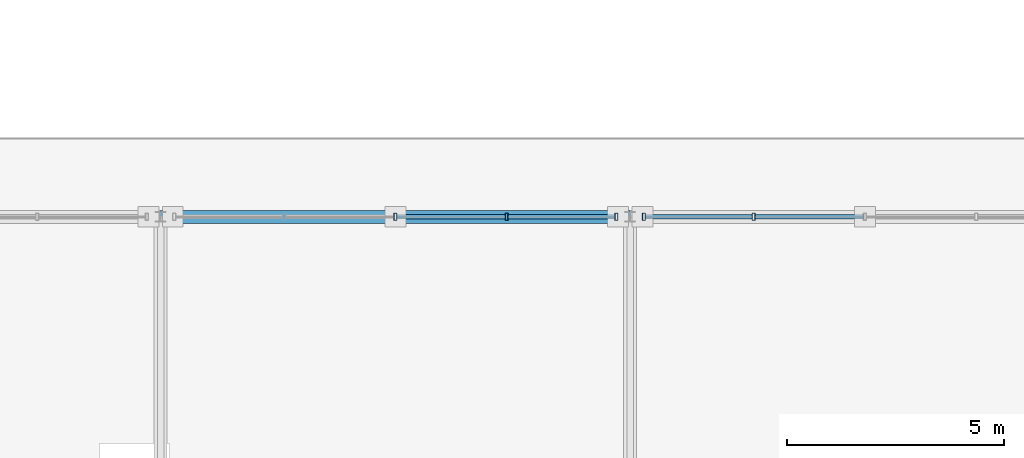
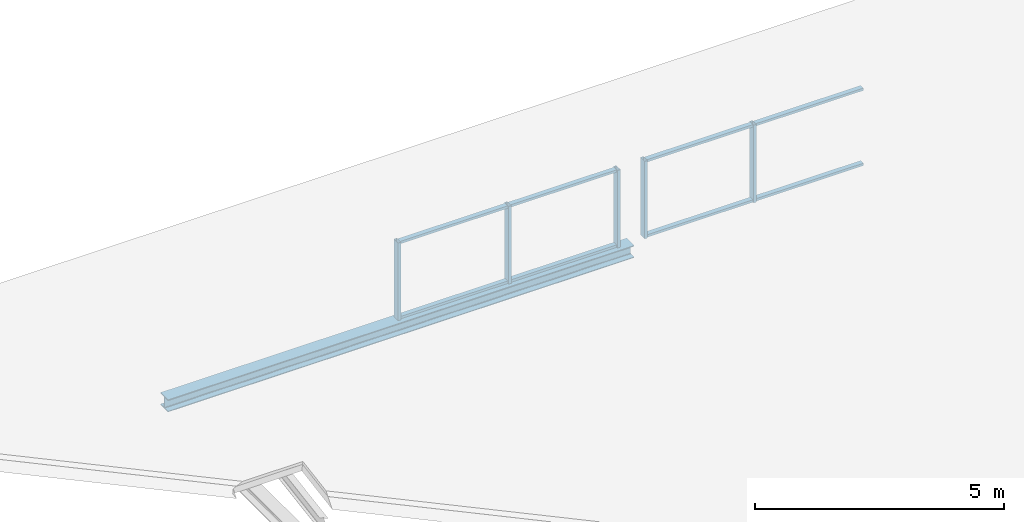
# One storey, part 90 of 117: 13 members, 1 beam, 2 elements without a shape of their own.
"""IFC4 building model written with IfcOpenShell, lengths in metres."""

import ifcopenshell
import ifcopenshell.guid

model = None  # the IFC model being written
_history = None  # IfcOwnerHistory: only IFC2X3 demands one
_inside = {}  # id of a spatial element -> (the spatial element, [elements in it])
_under = {}  # id of a project, library or spatial element -> (it, [spatial elements below it])
_declared = {}  # id of a project -> (the project, [libraries it declares])
_typed = {}  # id of a type object -> (the type object, [elements of that type])
_made_of = {}  # id of a material, layer set ... -> (it, [elements and type objects made of it])


def new_model(schema):
    """Start an empty IFC model of exactly this schema.

    Asked for "IFC4X3", IfcOpenShell would pick the latest addendum, in which some entities
    have other attributes; the version numbers below select the first issue.
    IFC2X3 requires an IfcOwnerHistory on every rooted entity: one is made here for all.
    """
    global model, _history
    if schema == "IFC4X3":
        model = ifcopenshell.file(schema_version=(4, 3, 0, 0))
    else:
        model = ifcopenshell.file(schema=schema)
    _inside.clear()
    _under.clear()
    _declared.clear()
    _typed.clear()
    _made_of.clear()
    _history = None
    if model.schema == "IFC2X3":
        org = make("IfcOrganization", Name="unknown")
        user = make(
            "IfcPersonAndOrganization",
            ThePerson=make("IfcPerson", FamilyName="unknown"),
            TheOrganization=org,
        )
        app = make(
            "IfcApplication",
            ApplicationDeveloper=org,
            Version="unknown",
            ApplicationFullName="unknown",
            ApplicationIdentifier="unknown",
        )
        _history = make(
            "IfcOwnerHistory",
            OwningUser=user,
            OwningApplication=app,
            ChangeAction="ADDED",
            CreationDate=0,
        )
    return model


def make(cls, **values):
    """One entity of the class cls with the attributes given. An attribute that is None is left unset."""
    return model.create_entity(
        cls, **{name: value for name, value in values.items() if value is not None}
    )


def rooted(cls, **values):
    """An entity with a GlobalId (a new one), such as an element, a storey or a relation."""
    return make(cls, GlobalId=ifcopenshell.guid.new(), OwnerHistory=_history, **values)


def si_unit(unit_type, name, prefix=None):
    """IfcSIUnit, for example si_unit("LENGTHUNIT", "METRE", prefix="MILLI")."""
    return make("IfcSIUnit", UnitType=unit_type, Prefix=prefix, Name=name)


def assignment(units):
    """IfcUnitAssignment: the units of a project."""
    return None if units is None else make("IfcUnitAssignment", Units=units)


def point(xyz):
    """IfcCartesianPoint."""
    return None if xyz is None else make("IfcCartesianPoint", Coordinates=xyz)


def direction(xyz):
    """IfcDirection."""
    return None if xyz is None else make("IfcDirection", DirectionRatios=xyz)


def frame(location, z_axis=None, x_axis=None):
    """IfcAxis2Placement3D, a coordinate frame: its origin and axes. An axis left out is left unset."""
    return make(
        "IfcAxis2Placement3D",
        Location=point(location),
        Axis=direction(z_axis),
        RefDirection=direction(x_axis),
    )


def frame_2d(location, x_axis=None):
    """IfcAxis2Placement2D, a coordinate frame in the plane: its origin and x axis."""
    return make(
        "IfcAxis2Placement2D", Location=point(location), RefDirection=direction(x_axis)
    )


def origin():
    """The frame at (0, 0, 0) with its axes left unset."""
    return frame((0.0, 0.0, 0.0))


def origin_2d():
    """The frame at (0, 0) in the plane with its x axis left unset."""
    return frame_2d((0.0, 0.0))


def place(relative_to, where):
    """IfcLocalPlacement: puts the frame where relative to a parent placement (None: the world)."""
    return make(
        "IfcLocalPlacement", PlacementRelTo=relative_to, RelativePlacement=where
    )


def context(
    kind, dimensions, precision=None, world=None, true_north=None, identifier=None
):
    """IfcGeometricRepresentationContext, for example the 3D "Model" context."""
    return make(
        "IfcGeometricRepresentationContext",
        ContextIdentifier=identifier,
        ContextType=kind,
        CoordinateSpaceDimension=dimensions,
        Precision=precision,
        WorldCoordinateSystem=world,
        TrueNorth=true_north,
    )


def subcontext(parent, identifier, kind, view, scale=None):
    """IfcGeometricRepresentationSubContext, for example "Body" below "Model"."""
    return make(
        "IfcGeometricRepresentationSubContext",
        ContextIdentifier=identifier,
        ContextType=kind,
        ParentContext=parent,
        TargetScale=scale,
        TargetView=view,
    )


def project(units=None, contexts=None):
    """IfcProject with its units and contexts."""
    return rooted(
        "IfcProject",
        Name="project",
        RepresentationContexts=contexts,
        UnitsInContext=assignment(units),
    )


def spatial(cls, under=None, at=None, **own):
    """A site, building, storey or space (cls), placed at a placement, below another one or the project."""
    s = rooted(cls, ObjectPlacement=at, **own)
    if under is not None:
        _under.setdefault(under.id(), (under, []))[1].append(s)
    return s


def profile(cls, at=None, kind="AREA", **sizes):
    """A parametric profile (cls). Its sizes go by their IFC names, for example OverallWidth=200.0."""
    return make(cls, ProfileType=kind, Position=at, **sizes)


def hollow_rectangle(**sizes):
    """IfcRectangleHollowProfileDef."""
    return profile("IfcRectangleHollowProfileDef", **sizes)


def i_section(**sizes):
    """IfcIShapeProfileDef."""
    return profile("IfcIShapeProfileDef", **sizes)


def extrude(swept, where, along, depth):
    """IfcExtrudedAreaSolid: the profile swept, set in the frame where, extruded along a direction by depth."""
    return make(
        "IfcExtrudedAreaSolid",
        SweptArea=swept,
        Position=where,
        ExtrudedDirection=direction(along),
        Depth=depth,
    )


def shape(context_of_items, identifier, shape_type, items):
    """IfcShapeRepresentation: the items that make up one representation, for example the "Body"."""
    return make(
        "IfcShapeRepresentation",
        ContextOfItems=context_of_items,
        RepresentationIdentifier=identifier,
        RepresentationType=shape_type,
        Items=items,
    )


def material(Name=None, Category=None):
    """IfcMaterial."""
    return make("IfcMaterial", Name=Name, Category=Category)


def material_profile(
    of_material, cross_section, Name=None, Category=None, Priority=None
):
    """IfcMaterialProfile: a cross section and its material."""
    return make(
        "IfcMaterialProfile",
        Name=Name,
        Material=of_material,
        Profile=cross_section,
        Priority=Priority,
        Category=Category,
    )


def profile_set(profiles, Name=None, composite=None):
    """IfcMaterialProfileSet."""
    return make(
        "IfcMaterialProfileSet",
        Name=Name,
        MaterialProfiles=profiles,
        CompositeProfile=composite,
    )


def made_of(thing, what):
    """Note that an element or type object is made of a material, layer set ...; save() writes the relation."""
    if what is not None:
        _made_of.setdefault(what.id(), (what, []))[1].append(thing)
    return thing


def type_object(cls, material=None, **own):
    """A type object (cls), such as IfcWallType, which elements share."""
    return made_of(rooted(cls, **own), material)


def element(
    cls,
    number,
    at=None,
    inside=None,
    cuts=None,
    type_object=None,
    material=None,
    context=None,
    identifier="Body",
    shape_type=None,
    held_by="IfcProductDefinitionShape",
    body=None,
    shapes=None,
    **own,
):
    """One element of the class cls, such as IfcWall. Its Tag is "e" and its number.

    at: its placement. inside: the storey or other place that contains it. cuts: it is an
    opening in that element (IfcRelVoidsElement). A single representation is given by context,
    identifier, shape_type and body (its items); several are given by shapes. held_by: the class
    of the entity that holds the representations. save() writes the other relations.
    """
    e = rooted(cls, Tag="e%d" % number, ObjectPlacement=at, **own)
    if body is not None:
        shapes = [shape(context, identifier, shape_type, body)]
    if shapes is not None:
        e.Representation = make(held_by, Representations=shapes)
    if inside is not None:
        _inside.setdefault(inside.id(), (inside, []))[1].append(e)
    if cuts is not None:
        rooted(
            "IfcRelVoidsElement", RelatingBuildingElement=cuts, RelatedOpeningElement=e
        )
    if type_object is not None:
        _typed.setdefault(type_object.id(), (type_object, []))[1].append(e)
    return made_of(e, material)


def aggregate(whole, parts):
    """IfcRelAggregates: a whole, such as a stair, and the parts it consists of."""
    return rooted("IfcRelAggregates", RelatingObject=whole, RelatedObjects=parts)


def save(model, path):
    """Write the relations noted so far, then the file.

    IfcRelAggregates (storeys below a building ...), IfcRelContainedInSpatialStructure (elements
    in a storey), IfcRelDefinesByType, IfcRelAssociatesMaterial and IfcRelDeclares: one each for
    every whole, place, type object, material and project.
    """
    for whole, parts in _under.values():
        aggregate(whole, parts)
    for where, things in _inside.values():
        rooted(
            "IfcRelContainedInSpatialStructure",
            RelatedElements=things,
            RelatingStructure=where,
        )
    for kind, things in _typed.values():
        rooted("IfcRelDefinesByType", RelatedObjects=things, RelatingType=kind)
    for what, things in _made_of.values():
        rooted("IfcRelAssociatesMaterial", RelatedObjects=things, RelatingMaterial=what)
    for by, libraries in _declared.values():
        rooted("IfcRelDeclares", RelatingContext=by, RelatedDefinitions=libraries)
    model.write(path)


model = new_model("IFC4")

# Units and contexts
model_context = context("Model", 3, precision=1e-05, world=origin(), true_north=direction((0.0, 1.0)))
body_context = subcontext(model_context, "Body", "Model", "MODEL_VIEW")
ifc_project = project(units=[si_unit("LENGTHUNIT", "METRE"), si_unit("AREAUNIT", "SQUARE_METRE"), si_unit("VOLUMEUNIT", "CUBIC_METRE"), si_unit("PLANEANGLEUNIT", "RADIAN"), si_unit("MASSUNIT", "GRAM", prefix="KILO")], contexts=[model_context])

# Site, building, storey
site_placement = place(None, origin())
site = spatial("IfcSite", under=ifc_project, at=site_placement, CompositionType="ELEMENT")
building_placement = place(site_placement, origin())
building = spatial("IfcBuilding", under=site, at=building_placement, Name="Merenkruunu Market Hall", CompositionType="ELEMENT")
storey_placement = place(building_placement, frame((0.0, 0.0, 10.199951171875)))
storey = spatial("IfcBuildingStorey", under=building, at=storey_placement, Name="L02", CompositionType="ELEMENT", Elevation=10.199951171875)

# Curtain wall, members
ifc_material_1 = material(Name="Powder-coated aluminium", Category="aluminium")
curtain_wall_type = type_object("IfcCurtainWallType", Name="Clerestory Curtain Band CL01", PredefinedType="USERDEFINED", material=ifc_material_1)
curtain_wall_1_placement = place(storey_placement, origin())
curtain_wall_1 = element("IfcCurtainWall", 1, at=curtain_wall_1_placement, inside=storey, type_object=curtain_wall_type, Name="CW-L02-CWM04-230", ObjectType="CLERESTORY_BAND", PredefinedType="USERDEFINED")
ifc_material_profile_1 = material_profile(ifc_material_1, hollow_rectangle(XDim=0.070068359375, YDim=0.169921875, WallThickness=0.0048828125, at=origin_2d()), Name="ALU 70x170x5")
ifc_profile_set_1 = profile_set([ifc_material_profile_1], Name="Powder-coated aluminium")
member_type_1 = type_object("IfcMemberType", Name="Curtain Wall Mullion CWM04", PredefinedType="MULLION", material=ifc_profile_set_1)
member_1_placement = place(storey_placement, frame((175.800048828125, 63.60009765625, 0.02001953125), z_axis=(0.0, 0.0, 1.0), x_axis=(1.0, 0.0, 0.0)))
member_1 = element("IfcMember", 2, at=member_1_placement, type_object=member_type_1, Name="CL01 mullion 3", PredefinedType="MULLION", context=body_context, shape_type="SweptSolid", body=[
    extrude(hollow_rectangle(XDim=0.070068359375, YDim=0.169921875, WallThickness=0.0048828125, at=origin_2d()), origin(), (0.0, 0.0, 1.0), 1.900146484375),
])
member_2_placement = place(storey_placement, frame((178.360107421875, 63.60009765625, 0.02001953125), z_axis=(0.0, 0.0, 1.0), x_axis=(1.0, 0.0, 0.0)))
member_2 = element("IfcMember", 3, at=member_2_placement, type_object=member_type_1, Name="CL01 mullion 4", PredefinedType="MULLION", context=body_context, shape_type="SweptSolid", body=[
    extrude(hollow_rectangle(XDim=0.070068359375, YDim=0.169921875, WallThickness=0.0048828125, at=origin_2d()), origin(), (0.0, 0.0, 1.0), 1.900146484375),
])
member_3_placement = place(storey_placement, frame((180.885009765625, 63.60009765625, 0.02001953125), z_axis=(0.0, 0.0, 1.0), x_axis=(1.0, 0.0, 0.0)))
member_3 = element("IfcMember", 4, at=member_3_placement, type_object=member_type_1, Name="CL01 mullion 5", PredefinedType="MULLION", context=body_context, shape_type="SweptSolid", body=[
    extrude(hollow_rectangle(XDim=0.070068359375, YDim=0.169921875, WallThickness=0.0048828125, at=origin_2d()), origin(), (0.0, 0.0, 1.0), 1.900146484375),
])

curtain_wall_2_placement = place(storey_placement, origin())
curtain_wall_2 = element("IfcCurtainWall", 5, at=curtain_wall_2_placement, inside=storey, type_object=curtain_wall_type, Name="CW-L02-CWM04-231", ObjectType="CLERESTORY_BAND", PredefinedType="USERDEFINED")
member_4_placement = place(storey_placement, frame((181.514892578125, 63.60009765625, 0.02001953125), z_axis=(0.0, 0.0, 1.0), x_axis=(1.0, 0.0, 0.0)))
member_4 = element("IfcMember", 6, at=member_4_placement, type_object=member_type_1, Name="CL01 mullion 1", PredefinedType="MULLION", context=body_context, shape_type="SweptSolid", body=[
    extrude(hollow_rectangle(XDim=0.070068359375, YDim=0.169921875, WallThickness=0.0048828125, at=origin_2d()), origin(), (0.0, 0.0, 1.0), 1.900146484375),
])
member_5_placement = place(storey_placement, frame((184.0400390625, 63.60009765625, 0.02001953125), z_axis=(0.0, 0.0, 1.0), x_axis=(1.0, 0.0, 0.0)))
member_5 = element("IfcMember", 7, at=member_5_placement, type_object=member_type_1, Name="CL01 mullion 2", PredefinedType="MULLION", context=body_context, shape_type="SweptSolid", body=[
    extrude(hollow_rectangle(XDim=0.070068359375, YDim=0.169921875, WallThickness=0.0048828125, at=origin_2d()), origin(), (0.0, 0.0, 1.0), 1.900146484375),
])

# Member
ifc_material_profile_2 = material_profile(ifc_material_1, hollow_rectangle(XDim=0.06005859375, YDim=0.110107421875, WallThickness=0.00390625, at=origin_2d()), Name="ALU 60x110x4")
ifc_profile_set_2 = profile_set([ifc_material_profile_2], Name="Powder-coated aluminium")
member_type_2 = type_object("IfcMemberType", Name="Curtain Wall Transom CWT03", PredefinedType="USERDEFINED", material=ifc_profile_set_2)
member_6_placement = place(storey_placement, frame((175.8349609375, 63.60009765625, 0.050048828125), z_axis=(1.0, 0.0, 0.0), x_axis=(0.0, 0.0, 1.0)))
member_6 = element("IfcMember", 8, at=member_6_placement, type_object=member_type_2, Name="CL01 transom 3.1", ObjectType="TRANSOM", PredefinedType="USERDEFINED", context=body_context, shape_type="SweptSolid", body=[
    extrude(hollow_rectangle(XDim=0.06005859375, YDim=0.110107421875, WallThickness=0.00390625, at=origin_2d()), origin(), (0.0, 0.0, 1.0), 2.489990234375),
])

member_7_placement = place(storey_placement, frame((175.8349609375, 63.60009765625, 1.89013671875), z_axis=(1.0, 0.0, 0.0), x_axis=(0.0, 0.0, 1.0)))
member_7 = element("IfcMember", 9, at=member_7_placement, type_object=member_type_2, Name="CL01 transom 3.2", ObjectType="TRANSOM", PredefinedType="USERDEFINED", context=body_context, shape_type="SweptSolid", body=[
    extrude(hollow_rectangle(XDim=0.06005859375, YDim=0.110107421875, WallThickness=0.00390625, at=origin_2d()), origin(), (0.0, 0.0, 1.0), 2.489990234375),
])

member_8_placement = place(storey_placement, frame((178.39501953125, 63.60009765625, 0.050048828125), z_axis=(1.0, 0.0, 0.0), x_axis=(0.0, 0.0, 1.0)))
member_8 = element("IfcMember", 10, at=member_8_placement, type_object=member_type_2, Name="CL01 transom 4.1", ObjectType="TRANSOM", PredefinedType="USERDEFINED", context=body_context, shape_type="SweptSolid", body=[
    extrude(hollow_rectangle(XDim=0.06005859375, YDim=0.110107421875, WallThickness=0.00390625, at=origin_2d()), origin(), (0.0, 0.0, 1.0), 2.455078125),
])

member_9_placement = place(storey_placement, frame((178.39501953125, 63.60009765625, 1.89013671875), z_axis=(1.0, 0.0, 0.0), x_axis=(0.0, 0.0, 1.0)))
member_9 = element("IfcMember", 11, at=member_9_placement, type_object=member_type_2, Name="CL01 transom 4.2", ObjectType="TRANSOM", PredefinedType="USERDEFINED", context=body_context, shape_type="SweptSolid", body=[
    extrude(hollow_rectangle(XDim=0.06005859375, YDim=0.110107421875, WallThickness=0.00390625, at=origin_2d()), origin(), (0.0, 0.0, 1.0), 2.455078125),
])

aggregate(curtain_wall_1, [member_1, member_2, member_3, member_6, member_7, member_8, member_9])

member_10_placement = place(storey_placement, frame((181.550048828125, 63.60009765625, 0.050048828125), z_axis=(1.0, 0.0, 0.0), x_axis=(0.0, 0.0, 1.0)))
member_10 = element("IfcMember", 12, at=member_10_placement, type_object=member_type_2, Name="CL01 transom 1.1", ObjectType="TRANSOM", PredefinedType="USERDEFINED", context=body_context, shape_type="SweptSolid", body=[
    extrude(hollow_rectangle(XDim=0.06005859375, YDim=0.110107421875, WallThickness=0.00390625, at=origin_2d()), origin(), (0.0, 0.0, 1.0), 2.454833984375),
])

member_11_placement = place(storey_placement, frame((181.550048828125, 63.60009765625, 1.89013671875), z_axis=(1.0, 0.0, 0.0), x_axis=(0.0, 0.0, 1.0)))
member_11 = element("IfcMember", 13, at=member_11_placement, type_object=member_type_2, Name="CL01 transom 1.2", ObjectType="TRANSOM", PredefinedType="USERDEFINED", context=body_context, shape_type="SweptSolid", body=[
    extrude(hollow_rectangle(XDim=0.06005859375, YDim=0.110107421875, WallThickness=0.00390625, at=origin_2d()), origin(), (0.0, 0.0, 1.0), 2.454833984375),
])

member_12_placement = place(storey_placement, frame((184.074951171875, 63.60009765625, 0.050048828125), z_axis=(1.0, 0.0, 0.0), x_axis=(0.0, 0.0, 1.0)))
member_12 = element("IfcMember", 14, at=member_12_placement, type_object=member_type_2, Name="CL01 transom 2.1", ObjectType="TRANSOM", PredefinedType="USERDEFINED", context=body_context, shape_type="SweptSolid", body=[
    extrude(hollow_rectangle(XDim=0.06005859375, YDim=0.110107421875, WallThickness=0.00390625, at=origin_2d()), origin(), (0.0, 0.0, 1.0), 2.489990234375),
])

member_13_placement = place(storey_placement, frame((184.074951171875, 63.60009765625, 1.89013671875), z_axis=(1.0, 0.0, 0.0), x_axis=(0.0, 0.0, 1.0)))
member_13 = element("IfcMember", 15, at=member_13_placement, type_object=member_type_2, Name="CL01 transom 2.2", ObjectType="TRANSOM", PredefinedType="USERDEFINED", context=body_context, shape_type="SweptSolid", body=[
    extrude(hollow_rectangle(XDim=0.06005859375, YDim=0.110107421875, WallThickness=0.00390625, at=origin_2d()), origin(), (0.0, 0.0, 1.0), 2.489990234375),
])

aggregate(curtain_wall_2, [member_4, member_5, member_10, member_11, member_12, member_13])

# Beam
ifc_material_2 = material(Name="Steel S355J2", Category="steel")
ifc_material_profile_3 = material_profile(ifc_material_2, i_section(OverallWidth=0.300048828125, OverallDepth=0.300048828125, WebThickness=0.010986328125, FlangeThickness=0.01904296875, FilletRadius=0.027099609375, at=origin_2d()), Name="HEB 300")
ifc_profile_set_3 = profile_set([ifc_material_profile_3], Name="Steel S355J2")
beam_type = type_object("IfcBeamType", Name="Primary Floor Girder B05", PredefinedType="BEAM", material=ifc_profile_set_3)
beam_placement = place(storey_placement, frame((170.39990234375, 63.60009765625, -0.14990234375), z_axis=(1.0, 0.0, 0.0), x_axis=(0.0, 1.0, 0.0)))
element("IfcBeam", 16, at=beam_placement, inside=storey, type_object=beam_type, Name="BM-L02-B05-1050", PredefinedType="BEAM", context=body_context, shape_type="SweptSolid", body=[
    extrude(i_section(OverallWidth=0.300048828125, OverallDepth=0.300048828125, WebThickness=0.010986328125, FlangeThickness=0.01904296875, FilletRadius=0.027099609375, at=origin_2d()), origin(), (0.0, 0.0, 1.0), 10.800048828125),
])

save(model, "model.ifc")
